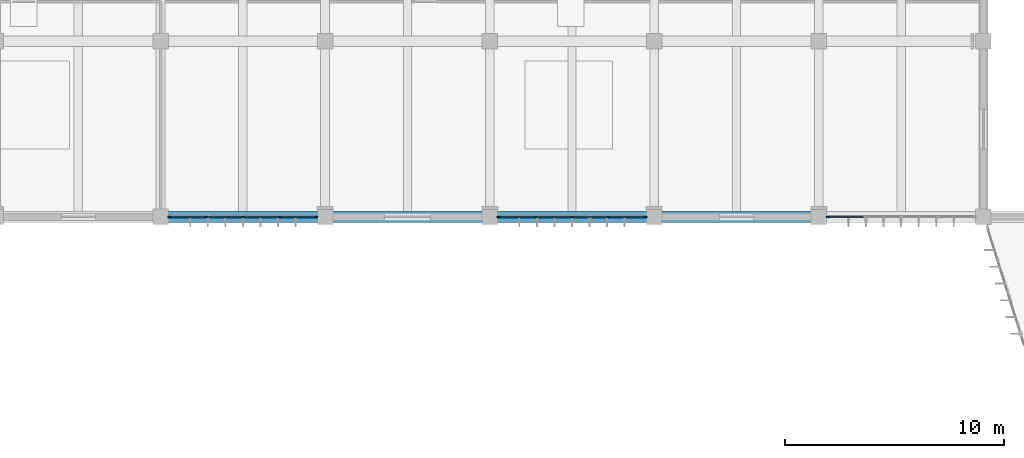
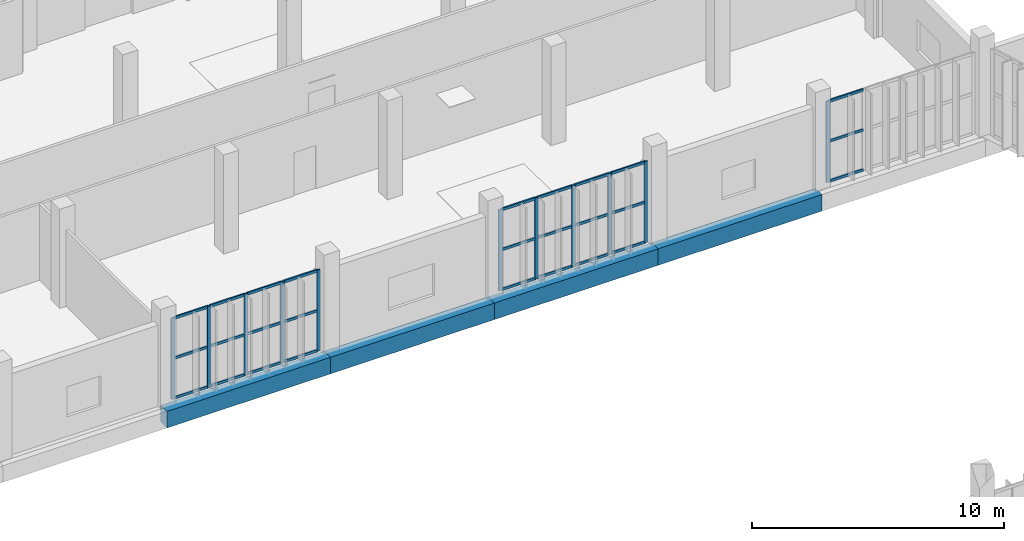
# One storey, part 19 of 72: 38 members, 4 beams, 3 elements without a shape of their own.
"""IFC4 building model written with IfcOpenShell, lengths in metres."""

from ifc_helpers import new_model, si_unit, direction, frame, origin, origin_2d, place, context, subcontext, project, spatial, rectangle, extrude, material, material_profile, profile_set, type_object, element, aggregate, save


model = new_model("IFC4")

# Units and contexts
model_context = context("Model", 3, precision=1e-05, world=origin(), true_north=direction((0.0, 1.0)))
body_context = subcontext(model_context, "Body", "Model", "MODEL_VIEW")
ifc_project = project(units=[si_unit("LENGTHUNIT", "METRE"), si_unit("AREAUNIT", "SQUARE_METRE"), si_unit("VOLUMEUNIT", "CUBIC_METRE"), si_unit("PLANEANGLEUNIT", "RADIAN"), si_unit("MASSUNIT", "GRAM", prefix="KILO")], contexts=[model_context])

# Site, building, storey
site_placement = place(None, origin())
site = spatial("IfcSite", under=ifc_project, at=site_placement, CompositionType="ELEMENT")
building_placement = place(site_placement, origin())
building = spatial("IfcBuilding", under=site, at=building_placement, Name="Vourika Railside Aquatics Centre", CompositionType="ELEMENT")
storey_placement = place(building_placement, origin())
storey = spatial("IfcBuildingStorey", under=building, at=storey_placement, Name="L00", CompositionType="ELEMENT", Elevation=0.0)

# Beams
ifc_material_1 = material(Name="Concrete C40/50", Category="concrete")
ifc_material_profile_1 = material_profile(ifc_material_1, rectangle(XDim=0.5, YDim=0.800048828125, at=origin_2d()), Name="RC 500x800")
ifc_profile_set_1 = profile_set([ifc_material_profile_1], Name="Concrete C40/50")
beam_type = type_object("IfcBeamType", Name="BM-TIE-500x800", PredefinedType="BEAM", material=ifc_profile_set_1)
for number, where, z_axis, x_axis, name in (
    (1, (96.0, 92.0, -0.719970703125), (1.0, 0.0, 0.0), (0.0, 1.0, 0.0), "Floor Beam GX-L00-134"),
    (2, (103.5, 92.0, -0.719970703125), (1.0, 0.0, 0.0), (0.0, 1.0, 0.0), "Floor Beam GX-L00-135"),
    (3, (111.0, 92.0, -0.719970703125), (1.0, 0.0, 0.0), (0.0, 1.0, 0.0), "Floor Beam GX-L00-136"),
    (4, (118.5, 92.0, -0.719970703125), (1.0, 0.0, 0.0), (0.0, 1.0, 0.0), "Floor Beam GX-L00-137"),
):
    element("IfcBeam", number, at=place(storey_placement, frame(where, z_axis=z_axis, x_axis=x_axis)), inside=storey, type_object=beam_type, Name=name, PredefinedType="BEAM", context=body_context, shape_type="SweptSolid", body=[
        extrude(rectangle(XDim=0.5, YDim=0.800048828125, at=origin_2d()), origin(), (0.0, 0.0, 1.0), 7.5),
    ])

# Curtain wall, members
ifc_material_2 = material(Name="Anodized thermally broken aluminium", Category="aluminium")
curtain_wall_type = type_object("IfcCurtainWallType", Name="CW-FIT0", PredefinedType="NOTDEFINED", material=ifc_material_2)
curtain_wall_1_placement = place(storey_placement, origin())
curtain_wall_1 = element("IfcCurtainWall", 5, at=curtain_wall_1_placement, inside=storey, type_object=curtain_wall_type, Name="Courtyard Fitness Curtain Wall L00-9", PredefinedType="NOTDEFINED")
ifc_material_3 = material(Name="Anodized aluminium mullion", Category="aluminium")
ifc_material_profile_2 = material_profile(ifc_material_3, rectangle(XDim=0.06494140625, YDim=0.1640625, at=origin_2d()), Name="ALU-M 65x164")
ifc_profile_set_2 = profile_set([ifc_material_profile_2], Name="Anodized aluminium mullion")
member_type_1 = type_object("IfcMemberType", Name="CWM-FIT0", PredefinedType="MULLION", material=ifc_profile_set_2)
member_1_placement = place(storey_placement, frame((96.41259765625, 92.0, 0.0), z_axis=(0.0, 0.0, 1.0), x_axis=(0.0, 1.0, 0.0)))
member_1 = element("IfcMember", 6, at=member_1_placement, type_object=member_type_1, Name="CW14 mullion 1", PredefinedType="MULLION", context=body_context, shape_type="SweptSolid", body=[
    extrude(rectangle(XDim=0.06494140625, YDim=0.1640625, at=origin_2d()), origin(), (0.0, 0.0, 1.0), 3.929931640625),
])
member_2_placement = place(storey_placement, frame((98.06494140625, 92.0, 0.0), z_axis=(0.0, 0.0, 1.0), x_axis=(0.0, 1.0, 0.0)))
member_2 = element("IfcMember", 7, at=member_2_placement, type_object=member_type_1, Name="CW14 mullion 2", PredefinedType="MULLION", context=body_context, shape_type="SweptSolid", body=[
    extrude(rectangle(XDim=0.06494140625, YDim=0.1640625, at=origin_2d()), origin(), (0.0, 0.0, 1.0), 3.929931640625),
])
member_3_placement = place(storey_placement, frame((99.75, 92.0, 0.0), z_axis=(0.0, 0.0, 1.0), x_axis=(0.0, 1.0, 0.0)))
member_3 = element("IfcMember", 8, at=member_3_placement, type_object=member_type_1, Name="CW14 mullion 3", PredefinedType="MULLION", context=body_context, shape_type="SweptSolid", body=[
    extrude(rectangle(XDim=0.06494140625, YDim=0.1640625, at=origin_2d()), origin(), (0.0, 0.0, 1.0), 3.929931640625),
])
member_4_placement = place(storey_placement, frame((101.43505859375, 92.0, 0.0), z_axis=(0.0, 0.0, 1.0), x_axis=(0.0, 1.0, 0.0)))
member_4 = element("IfcMember", 9, at=member_4_placement, type_object=member_type_1, Name="CW14 mullion 4", PredefinedType="MULLION", context=body_context, shape_type="SweptSolid", body=[
    extrude(rectangle(XDim=0.06494140625, YDim=0.1640625, at=origin_2d()), origin(), (0.0, 0.0, 1.0), 3.929931640625),
])
member_5_placement = place(storey_placement, frame((103.08740234375, 92.0, 0.0), z_axis=(0.0, 0.0, 1.0), x_axis=(0.0, 1.0, 0.0)))
member_5 = element("IfcMember", 10, at=member_5_placement, type_object=member_type_1, Name="CW14 mullion 5", PredefinedType="MULLION", context=body_context, shape_type="SweptSolid", body=[
    extrude(rectangle(XDim=0.06494140625, YDim=0.1640625, at=origin_2d()), origin(), (0.0, 0.0, 1.0), 3.929931640625),
])

curtain_wall_2_placement = place(storey_placement, origin())
curtain_wall_2 = element("IfcCurtainWall", 11, at=curtain_wall_2_placement, inside=storey, type_object=curtain_wall_type, Name="Courtyard Fitness Curtain Wall L00-11", PredefinedType="NOTDEFINED")
member_6_placement = place(storey_placement, frame((111.41259765625, 92.0, 0.0), z_axis=(0.0, 0.0, 1.0), x_axis=(0.0, 1.0, 0.0)))
member_6 = element("IfcMember", 12, at=member_6_placement, type_object=member_type_1, Name="CW14 mullion 1", PredefinedType="MULLION", context=body_context, shape_type="SweptSolid", body=[
    extrude(rectangle(XDim=0.06494140625, YDim=0.1640625, at=origin_2d()), origin(), (0.0, 0.0, 1.0), 3.929931640625),
])
member_7_placement = place(storey_placement, frame((113.06494140625, 92.0, 0.0), z_axis=(0.0, 0.0, 1.0), x_axis=(0.0, 1.0, 0.0)))
member_7 = element("IfcMember", 13, at=member_7_placement, type_object=member_type_1, Name="CW14 mullion 2", PredefinedType="MULLION", context=body_context, shape_type="SweptSolid", body=[
    extrude(rectangle(XDim=0.06494140625, YDim=0.1640625, at=origin_2d()), origin(), (0.0, 0.0, 1.0), 3.929931640625),
])
member_8_placement = place(storey_placement, frame((114.75, 92.0, 0.0), z_axis=(0.0, 0.0, 1.0), x_axis=(0.0, 1.0, 0.0)))
member_8 = element("IfcMember", 14, at=member_8_placement, type_object=member_type_1, Name="CW14 mullion 3", PredefinedType="MULLION", context=body_context, shape_type="SweptSolid", body=[
    extrude(rectangle(XDim=0.06494140625, YDim=0.1640625, at=origin_2d()), origin(), (0.0, 0.0, 1.0), 3.929931640625),
])
member_9_placement = place(storey_placement, frame((116.43505859375, 92.0, 0.0), z_axis=(0.0, 0.0, 1.0), x_axis=(0.0, 1.0, 0.0)))
member_9 = element("IfcMember", 15, at=member_9_placement, type_object=member_type_1, Name="CW14 mullion 4", PredefinedType="MULLION", context=body_context, shape_type="SweptSolid", body=[
    extrude(rectangle(XDim=0.06494140625, YDim=0.1640625, at=origin_2d()), origin(), (0.0, 0.0, 1.0), 3.929931640625),
])
member_10_placement = place(storey_placement, frame((118.08740234375, 92.0, 0.0), z_axis=(0.0, 0.0, 1.0), x_axis=(0.0, 1.0, 0.0)))
member_10 = element("IfcMember", 16, at=member_10_placement, type_object=member_type_1, Name="CW14 mullion 5", PredefinedType="MULLION", context=body_context, shape_type="SweptSolid", body=[
    extrude(rectangle(XDim=0.06494140625, YDim=0.1640625, at=origin_2d()), origin(), (0.0, 0.0, 1.0), 3.929931640625),
])

# Curtain wall, member
curtain_wall_3_placement = place(storey_placement, origin())
curtain_wall_3 = element("IfcCurtainWall", 17, at=curtain_wall_3_placement, inside=storey, type_object=curtain_wall_type, Name="Courtyard Fitness Curtain Wall L00-13", PredefinedType="NOTDEFINED")
member_11_placement = place(storey_placement, frame((126.41259765625, 92.0, 0.0), z_axis=(0.0, 0.0, 1.0), x_axis=(0.0, 1.0, 0.0)))
member_11 = element("IfcMember", 18, at=member_11_placement, type_object=member_type_1, Name="CW14 mullion 1", PredefinedType="MULLION", context=body_context, shape_type="SweptSolid", body=[
    extrude(rectangle(XDim=0.06494140625, YDim=0.1640625, at=origin_2d()), origin(), (0.0, 0.0, 1.0), 3.929931640625),
])

# Member
ifc_material_4 = material(Name="Anodized aluminium transom", Category="aluminium")
ifc_material_profile_3 = material_profile(ifc_material_4, rectangle(XDim=0.06494140625, YDim=0.1279296875, at=origin_2d()), Name="ALU-T 65x128")
ifc_profile_set_3 = profile_set([ifc_material_profile_3], Name="Anodized aluminium transom")
member_type_2 = type_object("IfcMemberType", Name="CWT-FIT0", PredefinedType="USERDEFINED", material=ifc_profile_set_3)
member_12_placement = place(storey_placement, frame((96.445068359375, 92.0, 0.032470703125), z_axis=(1.0, 0.0, 0.0), x_axis=(0.0, 1.0, 0.0)))
member_12 = element("IfcMember", 19, at=member_12_placement, type_object=member_type_2, Name="CW14 transom 1.1", ObjectType="TRANSOM", PredefinedType="USERDEFINED", context=body_context, shape_type="SweptSolid", body=[
    extrude(rectangle(XDim=0.06494140625, YDim=0.1279296875, at=origin_2d()), origin(), (0.0, 0.0, 1.0), 1.58740234375),
])

member_13_placement = place(storey_placement, frame((96.445068359375, 92.0, 1.965087890625), z_axis=(1.0, 0.0, 0.0), x_axis=(0.0, 1.0, 0.0)))
member_13 = element("IfcMember", 20, at=member_13_placement, type_object=member_type_2, Name="CW14 transom 1.2", ObjectType="TRANSOM", PredefinedType="USERDEFINED", context=body_context, shape_type="SweptSolid", body=[
    extrude(rectangle(XDim=0.06494140625, YDim=0.1279296875, at=origin_2d()), origin(), (0.0, 0.0, 1.0), 1.58740234375),
])

member_14_placement = place(storey_placement, frame((96.445068359375, 92.0, 3.8974609375), z_axis=(1.0, 0.0, 0.0), x_axis=(0.0, 1.0, 0.0)))
member_14 = element("IfcMember", 21, at=member_14_placement, type_object=member_type_2, Name="CW14 transom 1.3", ObjectType="TRANSOM", PredefinedType="USERDEFINED", context=body_context, shape_type="SweptSolid", body=[
    extrude(rectangle(XDim=0.06494140625, YDim=0.1279296875, at=origin_2d()), origin(), (0.0, 0.0, 1.0), 1.58740234375),
])

member_15_placement = place(storey_placement, frame((98.097412109375, 92.0, 0.032470703125), z_axis=(1.0, 0.0, 0.0), x_axis=(0.0, 1.0, 0.0)))
member_15 = element("IfcMember", 22, at=member_15_placement, type_object=member_type_2, Name="CW14 transom 2.1", ObjectType="TRANSOM", PredefinedType="USERDEFINED", context=body_context, shape_type="SweptSolid", body=[
    extrude(rectangle(XDim=0.06494140625, YDim=0.1279296875, at=origin_2d()), origin(), (0.0, 0.0, 1.0), 1.6201171875),
])

member_16_placement = place(storey_placement, frame((98.097412109375, 92.0, 1.965087890625), z_axis=(1.0, 0.0, 0.0), x_axis=(0.0, 1.0, 0.0)))
member_16 = element("IfcMember", 23, at=member_16_placement, type_object=member_type_2, Name="CW14 transom 2.2", ObjectType="TRANSOM", PredefinedType="USERDEFINED", context=body_context, shape_type="SweptSolid", body=[
    extrude(rectangle(XDim=0.06494140625, YDim=0.1279296875, at=origin_2d()), origin(), (0.0, 0.0, 1.0), 1.6201171875),
])

member_17_placement = place(storey_placement, frame((98.097412109375, 92.0, 3.8974609375), z_axis=(1.0, 0.0, 0.0), x_axis=(0.0, 1.0, 0.0)))
member_17 = element("IfcMember", 24, at=member_17_placement, type_object=member_type_2, Name="CW14 transom 2.3", ObjectType="TRANSOM", PredefinedType="USERDEFINED", context=body_context, shape_type="SweptSolid", body=[
    extrude(rectangle(XDim=0.06494140625, YDim=0.1279296875, at=origin_2d()), origin(), (0.0, 0.0, 1.0), 1.6201171875),
])

member_18_placement = place(storey_placement, frame((99.782470703125, 92.0, 0.032470703125), z_axis=(1.0, 0.0, 0.0), x_axis=(0.0, 1.0, 0.0)))
member_18 = element("IfcMember", 25, at=member_18_placement, type_object=member_type_2, Name="CW14 transom 3.1", ObjectType="TRANSOM", PredefinedType="USERDEFINED", context=body_context, shape_type="SweptSolid", body=[
    extrude(rectangle(XDim=0.06494140625, YDim=0.1279296875, at=origin_2d()), origin(), (0.0, 0.0, 1.0), 1.6201171875),
])

member_19_placement = place(storey_placement, frame((99.782470703125, 92.0, 1.965087890625), z_axis=(1.0, 0.0, 0.0), x_axis=(0.0, 1.0, 0.0)))
member_19 = element("IfcMember", 26, at=member_19_placement, type_object=member_type_2, Name="CW14 transom 3.2", ObjectType="TRANSOM", PredefinedType="USERDEFINED", context=body_context, shape_type="SweptSolid", body=[
    extrude(rectangle(XDim=0.06494140625, YDim=0.1279296875, at=origin_2d()), origin(), (0.0, 0.0, 1.0), 1.6201171875),
])

member_20_placement = place(storey_placement, frame((99.782470703125, 92.0, 3.8974609375), z_axis=(1.0, 0.0, 0.0), x_axis=(0.0, 1.0, 0.0)))
member_20 = element("IfcMember", 27, at=member_20_placement, type_object=member_type_2, Name="CW14 transom 3.3", ObjectType="TRANSOM", PredefinedType="USERDEFINED", context=body_context, shape_type="SweptSolid", body=[
    extrude(rectangle(XDim=0.06494140625, YDim=0.1279296875, at=origin_2d()), origin(), (0.0, 0.0, 1.0), 1.6201171875),
])

member_21_placement = place(storey_placement, frame((101.467529296875, 92.0, 0.032470703125), z_axis=(1.0, 0.0, 0.0), x_axis=(0.0, 1.0, 0.0)))
member_21 = element("IfcMember", 28, at=member_21_placement, type_object=member_type_2, Name="CW14 transom 4.1", ObjectType="TRANSOM", PredefinedType="USERDEFINED", context=body_context, shape_type="SweptSolid", body=[
    extrude(rectangle(XDim=0.06494140625, YDim=0.1279296875, at=origin_2d()), origin(), (0.0, 0.0, 1.0), 1.58740234375),
])

member_22_placement = place(storey_placement, frame((101.467529296875, 92.0, 1.965087890625), z_axis=(1.0, 0.0, 0.0), x_axis=(0.0, 1.0, 0.0)))
member_22 = element("IfcMember", 29, at=member_22_placement, type_object=member_type_2, Name="CW14 transom 4.2", ObjectType="TRANSOM", PredefinedType="USERDEFINED", context=body_context, shape_type="SweptSolid", body=[
    extrude(rectangle(XDim=0.06494140625, YDim=0.1279296875, at=origin_2d()), origin(), (0.0, 0.0, 1.0), 1.58740234375),
])

member_23_placement = place(storey_placement, frame((101.467529296875, 92.0, 3.8974609375), z_axis=(1.0, 0.0, 0.0), x_axis=(0.0, 1.0, 0.0)))
member_23 = element("IfcMember", 30, at=member_23_placement, type_object=member_type_2, Name="CW14 transom 4.3", ObjectType="TRANSOM", PredefinedType="USERDEFINED", context=body_context, shape_type="SweptSolid", body=[
    extrude(rectangle(XDim=0.06494140625, YDim=0.1279296875, at=origin_2d()), origin(), (0.0, 0.0, 1.0), 1.58740234375),
])

aggregate(curtain_wall_1, [member_1, member_2, member_3, member_4, member_5, member_12, member_13, member_14, member_15, member_16, member_17, member_18, member_19, member_20, member_21, member_22, member_23])

member_24_placement = place(storey_placement, frame((111.445068359375, 92.0, 0.032470703125), z_axis=(1.0, 0.0, 0.0), x_axis=(0.0, 1.0, 0.0)))
member_24 = element("IfcMember", 31, at=member_24_placement, type_object=member_type_2, Name="CW14 transom 1.1", ObjectType="TRANSOM", PredefinedType="USERDEFINED", context=body_context, shape_type="SweptSolid", body=[
    extrude(rectangle(XDim=0.06494140625, YDim=0.1279296875, at=origin_2d()), origin(), (0.0, 0.0, 1.0), 1.58740234375),
])

member_25_placement = place(storey_placement, frame((111.445068359375, 92.0, 1.965087890625), z_axis=(1.0, 0.0, 0.0), x_axis=(0.0, 1.0, 0.0)))
member_25 = element("IfcMember", 32, at=member_25_placement, type_object=member_type_2, Name="CW14 transom 1.2", ObjectType="TRANSOM", PredefinedType="USERDEFINED", context=body_context, shape_type="SweptSolid", body=[
    extrude(rectangle(XDim=0.06494140625, YDim=0.1279296875, at=origin_2d()), origin(), (0.0, 0.0, 1.0), 1.58740234375),
])

member_26_placement = place(storey_placement, frame((111.445068359375, 92.0, 3.8974609375), z_axis=(1.0, 0.0, 0.0), x_axis=(0.0, 1.0, 0.0)))
member_26 = element("IfcMember", 33, at=member_26_placement, type_object=member_type_2, Name="CW14 transom 1.3", ObjectType="TRANSOM", PredefinedType="USERDEFINED", context=body_context, shape_type="SweptSolid", body=[
    extrude(rectangle(XDim=0.06494140625, YDim=0.1279296875, at=origin_2d()), origin(), (0.0, 0.0, 1.0), 1.58740234375),
])

member_27_placement = place(storey_placement, frame((113.097412109375, 92.0, 0.032470703125), z_axis=(1.0, 0.0, 0.0), x_axis=(0.0, 1.0, 0.0)))
member_27 = element("IfcMember", 34, at=member_27_placement, type_object=member_type_2, Name="CW14 transom 2.1", ObjectType="TRANSOM", PredefinedType="USERDEFINED", context=body_context, shape_type="SweptSolid", body=[
    extrude(rectangle(XDim=0.06494140625, YDim=0.1279296875, at=origin_2d()), origin(), (0.0, 0.0, 1.0), 1.6201171875),
])

member_28_placement = place(storey_placement, frame((113.097412109375, 92.0, 1.965087890625), z_axis=(1.0, 0.0, 0.0), x_axis=(0.0, 1.0, 0.0)))
member_28 = element("IfcMember", 35, at=member_28_placement, type_object=member_type_2, Name="CW14 transom 2.2", ObjectType="TRANSOM", PredefinedType="USERDEFINED", context=body_context, shape_type="SweptSolid", body=[
    extrude(rectangle(XDim=0.06494140625, YDim=0.1279296875, at=origin_2d()), origin(), (0.0, 0.0, 1.0), 1.6201171875),
])

member_29_placement = place(storey_placement, frame((113.097412109375, 92.0, 3.8974609375), z_axis=(1.0, 0.0, 0.0), x_axis=(0.0, 1.0, 0.0)))
member_29 = element("IfcMember", 36, at=member_29_placement, type_object=member_type_2, Name="CW14 transom 2.3", ObjectType="TRANSOM", PredefinedType="USERDEFINED", context=body_context, shape_type="SweptSolid", body=[
    extrude(rectangle(XDim=0.06494140625, YDim=0.1279296875, at=origin_2d()), origin(), (0.0, 0.0, 1.0), 1.6201171875),
])

member_30_placement = place(storey_placement, frame((114.782470703125, 92.0, 0.032470703125), z_axis=(1.0, 0.0, 0.0), x_axis=(0.0, 1.0, 0.0)))
member_30 = element("IfcMember", 37, at=member_30_placement, type_object=member_type_2, Name="CW14 transom 3.1", ObjectType="TRANSOM", PredefinedType="USERDEFINED", context=body_context, shape_type="SweptSolid", body=[
    extrude(rectangle(XDim=0.06494140625, YDim=0.1279296875, at=origin_2d()), origin(), (0.0, 0.0, 1.0), 1.6201171875),
])

member_31_placement = place(storey_placement, frame((114.782470703125, 92.0, 1.965087890625), z_axis=(1.0, 0.0, 0.0), x_axis=(0.0, 1.0, 0.0)))
member_31 = element("IfcMember", 38, at=member_31_placement, type_object=member_type_2, Name="CW14 transom 3.2", ObjectType="TRANSOM", PredefinedType="USERDEFINED", context=body_context, shape_type="SweptSolid", body=[
    extrude(rectangle(XDim=0.06494140625, YDim=0.1279296875, at=origin_2d()), origin(), (0.0, 0.0, 1.0), 1.6201171875),
])

member_32_placement = place(storey_placement, frame((114.782470703125, 92.0, 3.8974609375), z_axis=(1.0, 0.0, 0.0), x_axis=(0.0, 1.0, 0.0)))
member_32 = element("IfcMember", 39, at=member_32_placement, type_object=member_type_2, Name="CW14 transom 3.3", ObjectType="TRANSOM", PredefinedType="USERDEFINED", context=body_context, shape_type="SweptSolid", body=[
    extrude(rectangle(XDim=0.06494140625, YDim=0.1279296875, at=origin_2d()), origin(), (0.0, 0.0, 1.0), 1.6201171875),
])

member_33_placement = place(storey_placement, frame((116.467529296875, 92.0, 0.032470703125), z_axis=(1.0, 0.0, 0.0), x_axis=(0.0, 1.0, 0.0)))
member_33 = element("IfcMember", 40, at=member_33_placement, type_object=member_type_2, Name="CW14 transom 4.1", ObjectType="TRANSOM", PredefinedType="USERDEFINED", context=body_context, shape_type="SweptSolid", body=[
    extrude(rectangle(XDim=0.06494140625, YDim=0.1279296875, at=origin_2d()), origin(), (0.0, 0.0, 1.0), 1.58740234375),
])

member_34_placement = place(storey_placement, frame((116.467529296875, 92.0, 1.965087890625), z_axis=(1.0, 0.0, 0.0), x_axis=(0.0, 1.0, 0.0)))
member_34 = element("IfcMember", 41, at=member_34_placement, type_object=member_type_2, Name="CW14 transom 4.2", ObjectType="TRANSOM", PredefinedType="USERDEFINED", context=body_context, shape_type="SweptSolid", body=[
    extrude(rectangle(XDim=0.06494140625, YDim=0.1279296875, at=origin_2d()), origin(), (0.0, 0.0, 1.0), 1.58740234375),
])

member_35_placement = place(storey_placement, frame((116.467529296875, 92.0, 3.8974609375), z_axis=(1.0, 0.0, 0.0), x_axis=(0.0, 1.0, 0.0)))
member_35 = element("IfcMember", 42, at=member_35_placement, type_object=member_type_2, Name="CW14 transom 4.3", ObjectType="TRANSOM", PredefinedType="USERDEFINED", context=body_context, shape_type="SweptSolid", body=[
    extrude(rectangle(XDim=0.06494140625, YDim=0.1279296875, at=origin_2d()), origin(), (0.0, 0.0, 1.0), 1.58740234375),
])

aggregate(curtain_wall_2, [member_6, member_7, member_8, member_9, member_10, member_24, member_25, member_26, member_27, member_28, member_29, member_30, member_31, member_32, member_33, member_34, member_35])

member_36_placement = place(storey_placement, frame((126.445068359375, 92.0, 0.032470703125), z_axis=(1.0, 0.0, 0.0), x_axis=(0.0, 1.0, 0.0)))
member_36 = element("IfcMember", 43, at=member_36_placement, type_object=member_type_2, Name="CW14 transom 1.1", ObjectType="TRANSOM", PredefinedType="USERDEFINED", context=body_context, shape_type="SweptSolid", body=[
    extrude(rectangle(XDim=0.06494140625, YDim=0.1279296875, at=origin_2d()), origin(), (0.0, 0.0, 1.0), 1.58740234375),
])

member_37_placement = place(storey_placement, frame((126.445068359375, 92.0, 1.965087890625), z_axis=(1.0, 0.0, 0.0), x_axis=(0.0, 1.0, 0.0)))
member_37 = element("IfcMember", 44, at=member_37_placement, type_object=member_type_2, Name="CW14 transom 1.2", ObjectType="TRANSOM", PredefinedType="USERDEFINED", context=body_context, shape_type="SweptSolid", body=[
    extrude(rectangle(XDim=0.06494140625, YDim=0.1279296875, at=origin_2d()), origin(), (0.0, 0.0, 1.0), 1.58740234375),
])

member_38_placement = place(storey_placement, frame((126.445068359375, 92.0, 3.8974609375), z_axis=(1.0, 0.0, 0.0), x_axis=(0.0, 1.0, 0.0)))
member_38 = element("IfcMember", 45, at=member_38_placement, type_object=member_type_2, Name="CW14 transom 1.3", ObjectType="TRANSOM", PredefinedType="USERDEFINED", context=body_context, shape_type="SweptSolid", body=[
    extrude(rectangle(XDim=0.06494140625, YDim=0.1279296875, at=origin_2d()), origin(), (0.0, 0.0, 1.0), 1.58740234375),
])

aggregate(curtain_wall_3, [member_11, member_36, member_37, member_38])

save(model, "model.ifc")
